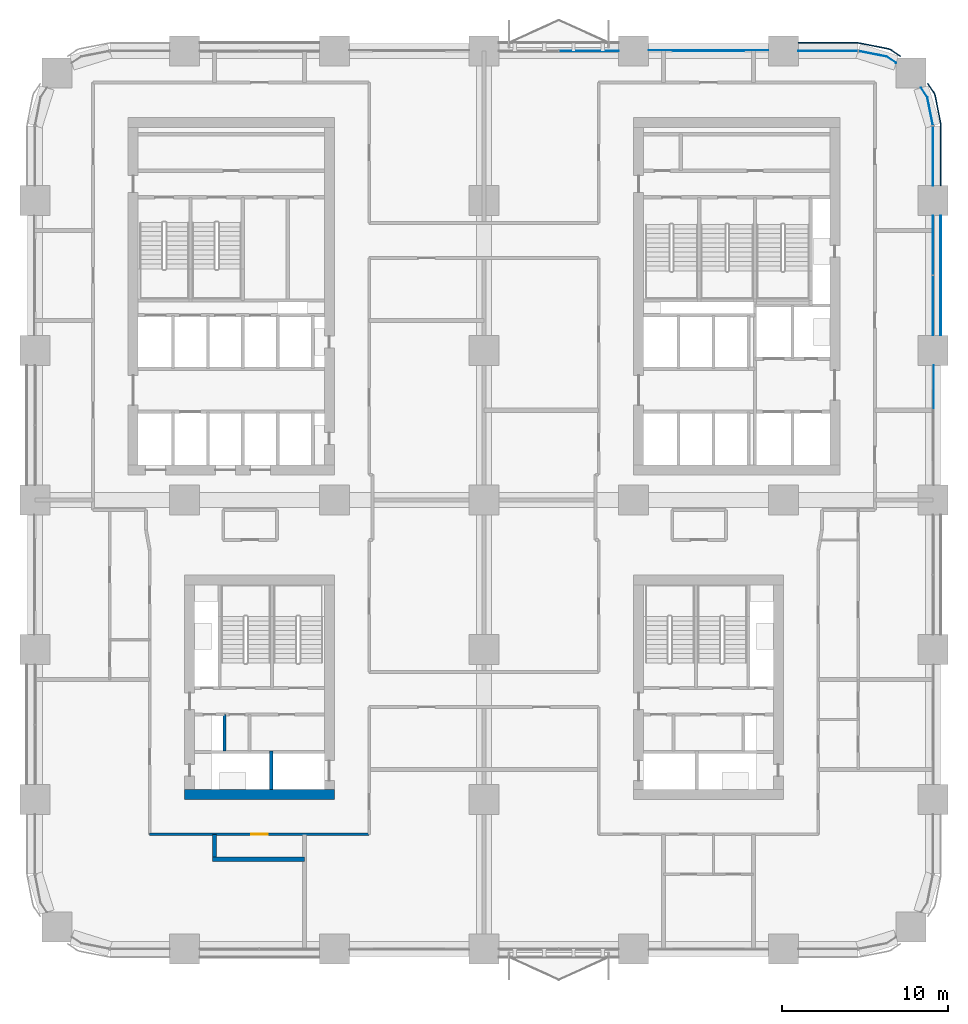
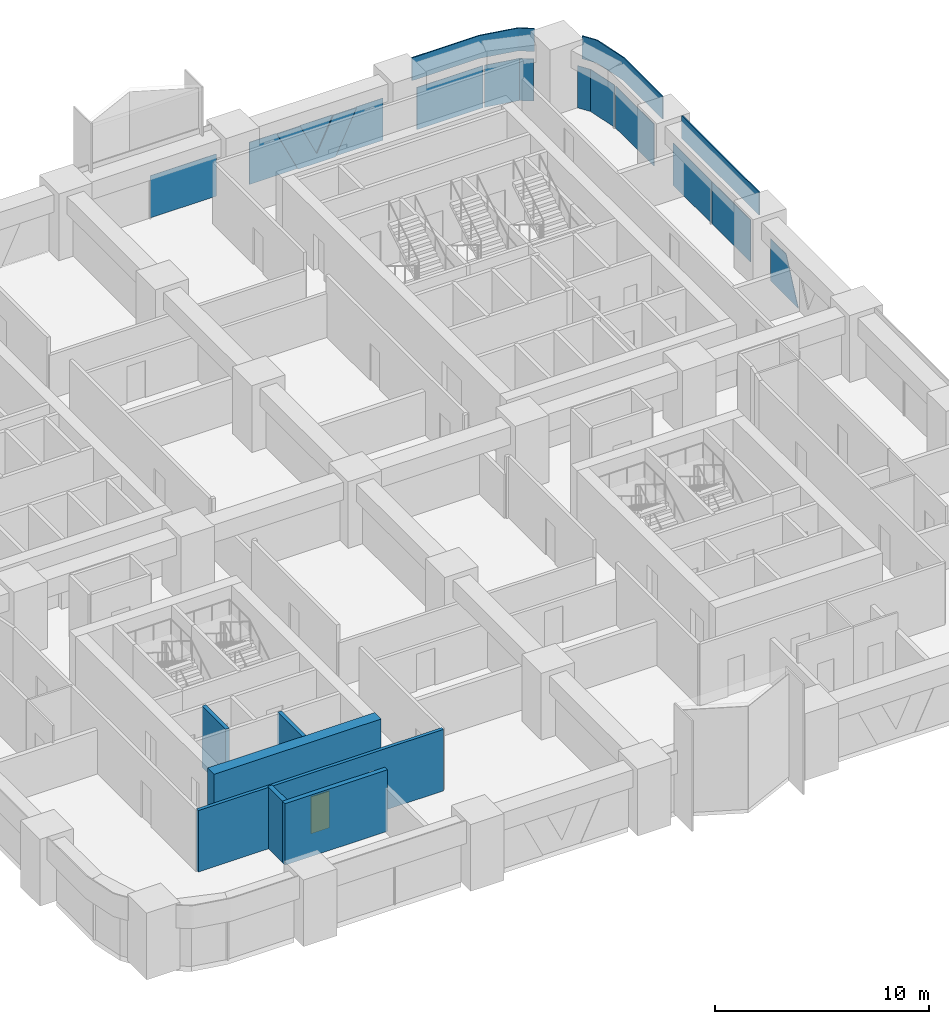
# One storey, part 12 of 22: 15 plates, 6 walls, 1 door, 1 opening, 6 elements without a shape of their own.
"""IFC4 building model written with IfcOpenShell, lengths in metres."""

from ifc_helpers import new_model, si_unit, direction, frame, frame_2d, origin, origin_2d, place, context, subcontext, project, spatial, polyline, rectangle, outline, extrude, material, layer, layer_set, type_object, element, fill, aggregate, save


model = new_model("IFC4")

# Units and contexts
model_context = context("Model", 3, precision=1e-05, world=origin(), true_north=direction((0.0, 1.0)))
body_context = subcontext(model_context, "Body", "Model", "MODEL_VIEW")
ifc_project = project(units=[si_unit("LENGTHUNIT", "METRE"), si_unit("AREAUNIT", "SQUARE_METRE"), si_unit("VOLUMEUNIT", "CUBIC_METRE"), si_unit("PLANEANGLEUNIT", "RADIAN"), si_unit("MASSUNIT", "GRAM", prefix="KILO")], contexts=[model_context])

# Site, building, storey
site_placement = place(None, origin())
site = spatial("IfcSite", under=ifc_project, at=site_placement, CompositionType="ELEMENT")
building_placement = place(site_placement, origin())
building = spatial("IfcBuilding", under=site, at=building_placement, Name="Tessera Arch", CompositionType="ELEMENT")
storey_placement = place(building_placement, frame((0.0, 0.0, 53.800048828125)))
storey = spatial("IfcBuildingStorey", under=building, at=storey_placement, Name="L11", CompositionType="ELEMENT", Elevation=53.800048828125)

# Curtain wall, plates
ifc_material_1 = material(Name="CW1 curtain wall")
curtain_wall_type_1 = type_object("IfcCurtainWallType", Name="CW1 curtain wall", PredefinedType="NOTDEFINED", material=ifc_material_1)
curtain_wall_1_placement = place(storey_placement, origin())
curtain_wall_1 = element("IfcCurtainWall", 1, at=curtain_wall_1_placement, inside=storey, type_object=curtain_wall_type_1, Name="CW1 curtain wall E54.0/4 L11", PredefinedType="NOTDEFINED")
ifc_material_2 = material(Name="Clear low-e glass", Category="glass")
ifc_material_3 = material(Name="Clear low-e glass", Category="glass")
ifc_layer_1 = layer(ifc_material_3, 0.028076171875)
ifc_layer_set_1 = layer_set([ifc_layer_1], Name="CW1 glass panel")
plate_type_1 = type_object("IfcPlateType", Name="CW1 glass panel", PredefinedType="CURTAIN_PANEL", material=ifc_layer_set_1)
plate_1_placement = place(storey_placement, frame((54.0, 38.68505859375, 0.0), z_axis=(0.0, 0.0, 1.0), x_axis=(0.0, 1.0, 0.0)))
plate_1 = element("IfcPlate", 2, at=plate_1_placement, type_object=plate_type_1, material=ifc_material_2, Name="CW1 glass panel E54.0/4 1.1.1", PredefinedType="CURTAIN_PANEL", context=body_context, shape_type="SweptSolid", body=[
    extrude(rectangle(XDim=3.570068359375, YDim=0.028076171875, at=origin_2d()), origin(), (0.0, 0.0, 1.0), 2.39990234375),
])
plate_2_placement = place(storey_placement, frame((54.0, 42.31494140625, 0.0), z_axis=(0.0, 0.0, 1.0), x_axis=(0.0, 1.0, 0.0)))
plate_2 = element("IfcPlate", 3, at=plate_2_placement, type_object=plate_type_1, material=ifc_material_2, Name="CW1 glass panel E54.0/4 1.2.1", PredefinedType="CURTAIN_PANEL", context=body_context, shape_type="SweptSolid", body=[
    extrude(rectangle(XDim=3.570068359375, YDim=0.028076171875, at=origin_2d()), origin(), (0.0, 0.0, 1.0), 2.39990234375),
])

# Curtain wall, plate
curtain_wall_2_placement = place(storey_placement, origin())
curtain_wall_2 = element("IfcCurtainWall", 4, at=curtain_wall_2_placement, inside=storey, type_object=curtain_wall_type_1, Name="CW1 curtain wall N54.0/2 L11", PredefinedType="NOTDEFINED")
plate_3_placement = place(storey_placement, frame((33.31494140625, 54.0, 0.0), z_axis=(0.0, 0.0, 1.0), x_axis=(-1.0, 0.0, 0.0)))
plate_3 = element("IfcPlate", 5, at=plate_3_placement, type_object=plate_type_1, material=ifc_material_2, Name="CW1 glass panel N54.0/2 1.1.1", PredefinedType="CURTAIN_PANEL", context=body_context, shape_type="SweptSolid", body=[
    extrude(rectangle(XDim=3.570068359375, YDim=0.028076171875, at=origin_2d()), origin(), (0.0, 0.0, 1.0), 2.39990234375),
])
aggregate(curtain_wall_2, [plate_3])

# Plate
ifc_material_4 = material(Name="Pale anodised aluminium panel", Category="aluminium")
ifc_layer_2 = layer(ifc_material_4, 0.06005859375)
ifc_layer_set_2 = layer_set([ifc_layer_2], Name="CW1 spandrel panel")
plate_type_2 = type_object("IfcPlateType", Name="CW1 spandrel panel", PredefinedType="CURTAIN_PANEL", material=ifc_layer_set_2)
plate_4_placement = place(storey_placement, frame((54.47998046875, 40.5, 2.5), z_axis=(0.0, 0.0, 1.0), x_axis=(0.0, 1.0, 0.0)))
plate_4 = element("IfcPlate", 6, at=plate_4_placement, type_object=plate_type_2, Name="CW1 spandrel panel E54.0/4", PredefinedType="CURTAIN_PANEL", context=body_context, shape_type="SweptSolid", body=[
    extrude(rectangle(XDim=7.199951171875, YDim=0.06005859375, at=origin_2d()), origin(), (0.0, 0.0, 1.0), 1.300048828125),
])

aggregate(curtain_wall_1, [plate_1, plate_2, plate_4])

# Curtain wall, plates
ifc_material_5 = material(Name="CW2 curtain wall")
curtain_wall_type_2 = type_object("IfcCurtainWallType", Name="CW2 curtain wall", PredefinedType="NOTDEFINED", material=ifc_material_5)
curtain_wall_3_placement = place(storey_placement, origin())
curtain_wall_3 = element("IfcCurtainWall", 7, at=curtain_wall_3_placement, inside=storey, type_object=curtain_wall_type_2, Name="CW2 curtain wall E54.0/5 L11", PredefinedType="NOTDEFINED")
ifc_material_6 = material(Name="Clear low-e glass", Category="glass")
ifc_layer_3 = layer(ifc_material_6, 0.028076171875)
ifc_layer_set_3 = layer_set([ifc_layer_3], Name="CW2 glass panel")
plate_type_3 = type_object("IfcPlateType", Name="CW2 glass panel", PredefinedType="CURTAIN_PANEL", material=ifc_layer_set_3)
plate_5_placement = place(storey_placement, frame((54.0, 47.679931640625, 0.0), z_axis=(0.0, 0.0, 1.0), x_axis=(0.0, 1.0, 0.0)))
plate_5 = element("IfcPlate", 8, at=plate_5_placement, type_object=plate_type_3, material=ifc_material_2, Name="CW2 glass panel E54.0/5 1.1", PredefinedType="CURTAIN_PANEL", context=body_context, shape_type="SweptSolid", body=[
    extrude(rectangle(XDim=3.56005859375, YDim=0.028076171875, at=origin_2d()), origin(), (0.0, 0.0, 1.0), 2.39990234375),
])
plate_6_placement = place(storey_placement, origin())
plate_6 = element("IfcPlate", 9, at=plate_6_placement, type_object=plate_type_3, material=ifc_material_2, Name="CW2 curved glass panel E54.0/5 2.1", PredefinedType="CURTAIN_PANEL", context=body_context, shape_type="SweptSolid", body=[
    extrude(outline(polyline([(53.644287109375, 51.216552734375), (53.978515625, 49.53662109375), (54.005859375, 49.5419921875), (53.670654296875, 51.2275390625), (53.294921875, 51.789794921875), (53.271728515625, 51.774169921875), (53.644287109375, 51.216552734375)])), origin(), (0.0, 0.0, 1.0), 2.39990234375),
])

curtain_wall_4_placement = place(storey_placement, origin())
curtain_wall_4 = element("IfcCurtainWall", 10, at=curtain_wall_4_placement, inside=storey, type_object=curtain_wall_type_2, Name="CW2 curtain wall N54.0/0 L11", PredefinedType="NOTDEFINED")
plate_7_placement = place(storey_placement, frame((47.679931640625, 54.0, 0.0), z_axis=(0.0, 0.0, 1.0), x_axis=(-1.0, 0.0, 0.0)))
plate_7 = element("IfcPlate", 11, at=plate_7_placement, type_object=plate_type_3, material=ifc_material_2, Name="CW2 glass panel N54.0/0 1.1", PredefinedType="CURTAIN_PANEL", context=body_context, shape_type="SweptSolid", body=[
    extrude(rectangle(XDim=3.56005859375, YDim=0.028076171875, at=origin_2d()), origin(), (0.0, 0.0, 1.0), 2.39990234375),
])
plate_8_placement = place(storey_placement, origin())
plate_8 = element("IfcPlate", 12, at=plate_8_placement, type_object=plate_type_3, material=ifc_material_2, Name="CW2 curved glass panel N54.0/0 2.1", PredefinedType="CURTAIN_PANEL", context=body_context, shape_type="SweptSolid", body=[
    extrude(outline(polyline([(51.216552734375, 53.644287109375), (51.774169921875, 53.271728515625), (51.789794921875, 53.294921875), (51.2275390625, 53.670654296875), (49.5419921875, 54.005859375), (49.53662109375, 53.978515625), (51.216552734375, 53.644287109375)])), origin(), (0.0, 0.0, 1.0), 2.39990234375),
])

# Plate
ifc_material_7 = material(Name="Pale anodised aluminium panel", Category="aluminium")
ifc_layer_4 = layer(ifc_material_7, 0.06005859375)
ifc_layer_set_4 = layer_set([ifc_layer_4], Name="CW2 spandrel panel")
plate_type_4 = type_object("IfcPlateType", Name="CW2 spandrel panel", PredefinedType="CURTAIN_PANEL", material=ifc_layer_set_4)
plate_9_placement = place(storey_placement, frame((0.0, 0.0, 2.5)))
plate_9 = element("IfcPlate", 13, at=plate_9_placement, type_object=plate_type_4, Name="CW2 spandrel panel E54.0/5", PredefinedType="CURTAIN_PANEL", context=body_context, shape_type="SweptSolid", body=[
    extrude(outline(polyline([(54.449951171875, 49.499267578125), (54.449951171875, 45.89990234375), (54.510009765625, 45.89990234375), (54.510009765625, 49.500732421875), (54.507568359375, 49.550048828125), (54.500244140625, 49.598876953125), (54.157470703125, 51.322265625), (54.1455078125, 51.3701171875), (54.128662109375, 51.417236328125), (54.107177734375, 51.462646484375), (54.08203125, 51.5048828125), (53.707275390625, 52.0654296875), (53.657470703125, 52.031982421875), (54.03125, 51.47265625), (54.05419921875, 51.434326171875), (54.0732421875, 51.394287109375), (54.088134765625, 51.352783203125), (54.09912109375, 51.30908203125), (54.441162109375, 49.588623046875), (54.44775390625, 49.544189453125), (54.449951171875, 49.499267578125)])), origin(), (0.0, 0.0, 1.0), 1.300048828125),
])

aggregate(curtain_wall_3, [plate_5, plate_6, plate_9])

plate_10_placement = place(storey_placement, frame((0.0, 0.0, 2.5)))
plate_10 = element("IfcPlate", 14, at=plate_10_placement, type_object=plate_type_4, Name="CW2 spandrel panel N54.0/0", PredefinedType="CURTAIN_PANEL", context=body_context, shape_type="SweptSolid", body=[
    extrude(outline(polyline([(51.47265625, 54.03125), (52.031982421875, 53.657470703125), (52.0654296875, 53.707275390625), (51.5048828125, 54.08203125), (51.462646484375, 54.107177734375), (51.417236328125, 54.128662109375), (51.3701171875, 54.1455078125), (51.322265625, 54.157470703125), (49.598876953125, 54.500244140625), (49.550048828125, 54.507568359375), (49.500732421875, 54.510009765625), (45.89990234375, 54.510009765625), (45.89990234375, 54.449951171875), (49.499267578125, 54.449951171875), (49.544189453125, 54.44775390625), (49.588623046875, 54.441162109375), (51.30908203125, 54.09912109375), (51.352783203125, 54.088134765625), (51.394287109375, 54.0732421875), (51.434326171875, 54.05419921875), (51.47265625, 54.03125)])), origin(), (0.0, 0.0, 1.0), 1.300048828125),
])

aggregate(curtain_wall_4, [plate_7, plate_8, plate_10])

# Curtain wall, plate
ifc_material_8 = material(Name="CW3 curtain wall")
curtain_wall_type_3 = type_object("IfcCurtainWallType", Name="CW3 curtain wall", PredefinedType="NOTDEFINED", material=ifc_material_8)
curtain_wall_5_placement = place(storey_placement, origin())
curtain_wall_5 = element("IfcCurtainWall", 15, at=curtain_wall_5_placement, inside=storey, type_object=curtain_wall_type_3, Name="CW3 curtain wall N54.0/1 L11", PredefinedType="NOTDEFINED")
ifc_material_9 = material(Name="Pale anodised aluminium panel", Category="aluminium")
ifc_layer_5 = layer(ifc_material_9, 0.06005859375)
ifc_layer_set_5 = layer_set([ifc_layer_5], Name="CW3 diagonal panel")
plate_type_5 = type_object("IfcPlateType", Name="CW3 diagonal panel", PredefinedType="CURTAIN_PANEL", material=ifc_layer_set_5)
plate_11_placement = place(storey_placement, frame((38.355712890625, 54.030029296875, 2.39990234375), z_axis=(0.0, 1.0, 0.0), x_axis=(1.0, 0.0, 0.0)))
plate_11 = element("IfcPlate", 16, at=plate_11_placement, type_object=plate_type_5, Name="CW3 diagonal panel N54.0/1 1", PredefinedType="CURTAIN_PANEL", context=body_context, shape_type="SweptSolid", body=[
    extrude(outline(polyline([(0.0, 0.0), (1.257080078125, 0.0), (2.144287109375, 1.873046875), (3.031494140625, 0.0), (4.28857421875, 0.0), (3.15185546875, 2.39990234375), (1.13671875, 2.39990234375), (0.0, 0.0)])), origin(), (0.0, 0.0, -1.0), 0.06005859375),
])

curtain_wall_6_placement = place(storey_placement, origin())
curtain_wall_6 = element("IfcCurtainWall", 17, at=curtain_wall_6_placement, inside=storey, type_object=curtain_wall_type_3, Name="CW3 curtain wall E54.0/3 L11", PredefinedType="NOTDEFINED")
ifc_material_10 = material(Name="Clear low-e glass", Category="glass")
ifc_layer_6 = layer(ifc_material_10, 0.028076171875)
ifc_layer_set_6 = layer_set([ifc_layer_6], Name="CW3 glass panel")
plate_type_6 = type_object("IfcPlateType", Name="CW3 glass panel", PredefinedType="CURTAIN_PANEL", material=ifc_layer_set_6)
plate_12_placement = place(storey_placement, frame((54.05810546875, 35.10009765625, 2.39990234375), z_axis=(1.0, 0.0, 0.0), x_axis=(0.0, -1.0, 0.0)))
plate_12 = element("IfcPlate", 18, at=plate_12_placement, type_object=plate_type_6, material=ifc_material_2, Name="CW3 triangulated glass panel E54.0/3 3", PredefinedType="CURTAIN_PANEL", context=body_context, shape_type="SweptSolid", body=[
    extrude(outline(polyline([(0.0, 0.0), (1.455810546875, 0.0), (2.592529296875, 2.39990234375), (0.0, 2.39990234375), (0.0, 0.0)])), origin(), (0.0, 0.0, -1.0), 0.028076171875),
])
aggregate(curtain_wall_6, [plate_12])

# Plate
plate_13_placement = place(storey_placement, frame((44.10009765625, 54.05810546875, 0.0), z_axis=(0.0, 1.0, 0.0), x_axis=(-1.0, 0.0, 0.0)))
plate_13 = element("IfcPlate", 19, at=plate_13_placement, type_object=plate_type_6, material=ifc_material_2, Name="CW3 triangulated glass panel N54.0/1 1", PredefinedType="CURTAIN_PANEL", context=body_context, shape_type="SweptSolid", body=[
    extrude(outline(polyline([(0.0, 0.0), (2.592529296875, 0.0), (1.455810546875, 2.39990234375), (0.0, 2.39990234375), (0.0, 0.0)])), origin(), (0.0, 0.0, -1.0), 0.028076171875),
])

plate_14_placement = place(storey_placement, frame((39.61279296875, 54.05810546875, 2.39990234375), z_axis=(0.0, 1.0, 0.0), x_axis=(1.0, 0.0, 0.0)))
plate_14 = element("IfcPlate", 20, at=plate_14_placement, type_object=plate_type_6, material=ifc_material_2, Name="CW3 triangulated glass panel N54.0/1 2", PredefinedType="CURTAIN_PANEL", context=body_context, shape_type="SweptSolid", body=[
    extrude(outline(polyline([(0.0, 0.0), (1.7744140625, 0.0), (0.88720703125, 1.873046875), (0.0, 0.0)])), origin(), (0.0, 0.0, -1.0), 0.028076171875),
])

plate_15_placement = place(storey_placement, frame((36.89990234375, 54.05810546875, 2.39990234375), z_axis=(0.0, 1.0, 0.0), x_axis=(1.0, 0.0, 0.0)))
plate_15 = element("IfcPlate", 21, at=plate_15_placement, type_object=plate_type_6, material=ifc_material_2, Name="CW3 triangulated glass panel N54.0/1 3", PredefinedType="CURTAIN_PANEL", context=body_context, shape_type="SweptSolid", body=[
    extrude(outline(polyline([(0.0, 0.0), (1.455810546875, 0.0), (2.592529296875, 2.39990234375), (0.0, 2.39990234375), (0.0, 0.0)])), origin(), (0.0, 0.0, -1.0), 0.028076171875),
])

aggregate(curtain_wall_5, [plate_13, plate_14, plate_15, plate_11])

# Wall
ifc_material_11 = material(Name="Concrete C70/85", Category="concrete")
ifc_layer_7 = layer(ifc_material_11, 0.60009765625)
ifc_layer_set_7 = layer_set([ifc_layer_7], Name="Core shell wall 600 C70-85")
wall_type_1 = type_object("IfcWallType", Name="Core shell wall 600 C70-85", PredefinedType="SHEAR", material=ifc_layer_set_7)
wall_1_placement = place(storey_placement, frame((9.0, 9.300048828125, 0.0), z_axis=(0.0, 0.0, 1.0), x_axis=(1.0, 0.0, 0.0)))
element("IfcWall", 22, at=wall_1_placement, inside=storey, type_object=wall_type_1, Name="L11 C4 core wall S", PredefinedType="SHEAR", context=body_context, shape_type="SweptSolid", body=[
    extrude(rectangle(XDim=9.0, YDim=0.60009765625, at=frame_2d((4.5, 0.0))), origin(), (0.0, 0.0, 1.0), 3.5),
])

# Wall, opening, door
ifc_material_12 = material(Name="Gypsum board on deep steel stud with mineral wool", Category="steel")
ifc_layer_8 = layer(ifc_material_12, 0.175048828125)
ifc_layer_set_8 = layer_set([ifc_layer_8], Name="Corridor wall 175 EI 60")
wall_type_2 = type_object("IfcWallType", Name="Corridor wall 175 EI 60", PredefinedType="PARTITIONING", material=ifc_layer_set_8)
wall_2_placement = place(storey_placement, frame((6.89990234375, 6.89990234375, 0.0), z_axis=(0.0, 0.0, 1.0), x_axis=(1.0, 0.0, 0.0)))
wall_2 = element("IfcWall", 23, at=wall_2_placement, inside=storey, type_object=wall_type_2, Name="L11 partition 1", PredefinedType="PARTITIONING", context=body_context, shape_type="SweptSolid", body=[
    extrude(rectangle(XDim=13.2001953125, YDim=0.175048828125, at=frame_2d((6.60009765625, 0.0))), origin(), (0.0, 0.0, 1.0), 3.5),
])
opening_placement = place(wall_2_placement, frame((6.10009765625, 0.0, 0.0)))
opening = element("IfcOpeningElement", 24, at=opening_placement, cuts=wall_2, Name="Opening L11-D007", PredefinedType="OPENING", context=body_context, shape_type="SweptSolid", body=[
    extrude(rectangle(XDim=1.0, YDim=2.10009765625, at=frame_2d((0.5, 1.050048828125))), frame((0.0, 0.097412109375, 0.0), z_axis=(0.0, -1.0, 0.0), x_axis=(1.0, 0.0, 0.0)), (0.0, 0.0, 1.0), 0.195068359375),
])
ifc_material_13 = material(Name="Fire-rated door leaf")
door_type = type_object("IfcDoorType", Name="Entrance door FD30S 1000 x 2100", OperationType="SINGLE_SWING_LEFT", PredefinedType="DOOR", material=ifc_material_13)
door_placement = place(opening_placement, origin())
door = element("IfcDoor", 25, at=door_placement, inside=storey, type_object=door_type, Name="L11 door D007 type D03", OperationType="SINGLE_SWING_RIGHT", OverallHeight=2.10009765625, OverallWidth=1.0, PredefinedType="DOOR", context=body_context, shape_type="SweptSolid", body=[
    extrude(rectangle(XDim=1.0, YDim=2.10009765625, at=frame_2d((0.5, 1.050048828125))), frame((0.0, 0.02490234375, 0.0), z_axis=(0.0, -1.0, 0.0), x_axis=(1.0, 0.0, 0.0)), (0.0, 0.0, 1.0), 0.050048828125),
])
fill(opening, door)

# Walls
ifc_material_14 = material(Name="Double gypsum board on twin steel stud with acoustic mineral wool", Category="steel")
ifc_layer_9 = layer(ifc_material_14, 0.25)
ifc_layer_set_9 = layer_set([ifc_layer_9], Name="Party wall 250 EI 60")
wall_type_3 = type_object("IfcWallType", Name="Party wall 250 EI 60", PredefinedType="PARTITIONING", material=ifc_layer_set_9)
wall_3_placement = place(storey_placement, frame((10.675048828125, 5.39990234375, 0.0), z_axis=(0.0, 0.0, 1.0), x_axis=(1.0, 0.0, 0.0)))
element("IfcWall", 26, at=wall_3_placement, inside=storey, type_object=wall_type_3, Name="L11 partition 43", PredefinedType="PARTITIONING", context=body_context, shape_type="SweptSolid", body=[
    extrude(rectangle(XDim=5.52490234375, YDim=0.25, at=frame_2d((2.762451171875, 0.0))), origin(), (0.0, 0.0, 1.0), 3.5),
])
wall_4_placement = place(storey_placement, frame((10.800048828125, 5.52490234375, 0.0), z_axis=(0.0, 0.0, 1.0), x_axis=(0.0, 1.0, 0.0)))
element("IfcWall", 27, at=wall_4_placement, inside=storey, type_object=wall_type_3, Name="L11 partition 57", PredefinedType="PARTITIONING", context=body_context, shape_type="SweptSolid", body=[
    extrude(rectangle(XDim=1.375, YDim=0.25, at=frame_2d((0.6875, 0.0))), origin(), (0.0, 0.0, 1.0), 3.5),
])
ifc_material_15 = material(Name="Concrete C40/50", Category="concrete")
ifc_layer_10 = layer(ifc_material_15, 0.199951171875)
ifc_layer_set_10 = layer_set([ifc_layer_10], Name="Shaft wall 200 EI 120")
wall_type_4 = type_object("IfcWallType", Name="Shaft wall 200 EI 120", PredefinedType="SOLIDWALL", material=ifc_layer_set_10)
wall_5_placement = place(storey_placement, frame((11.39990234375, 11.89990234375, 0.0), z_axis=(0.0, 0.0, 1.0), x_axis=(0.0, 1.0, 0.0)))
element("IfcWall", 28, at=wall_5_placement, inside=storey, type_object=wall_type_4, Name="L11 C4 shaft wall 3", PredefinedType="SOLIDWALL", context=body_context, shape_type="SweptSolid", body=[
    extrude(rectangle(XDim=2.2001953125, YDim=0.199951171875, at=frame_2d((1.10009765625, 0.0))), origin(), (0.0, 0.0, 1.0), 3.5),
])
wall_6_placement = place(storey_placement, frame((14.199951171875, 9.60009765625, 0.0), z_axis=(0.0, 0.0, 1.0), x_axis=(0.0, 1.0, 0.0)))
element("IfcWall", 29, at=wall_6_placement, inside=storey, type_object=wall_type_4, Name="L11 C4 shaft wall 5", PredefinedType="SOLIDWALL", context=body_context, shape_type="SweptSolid", body=[
    extrude(rectangle(XDim=2.2998046875, YDim=0.199951171875, at=frame_2d((1.14990234375, 0.0))), origin(), (0.0, 0.0, 1.0), 3.5),
])

save(model, "model.ifc")
